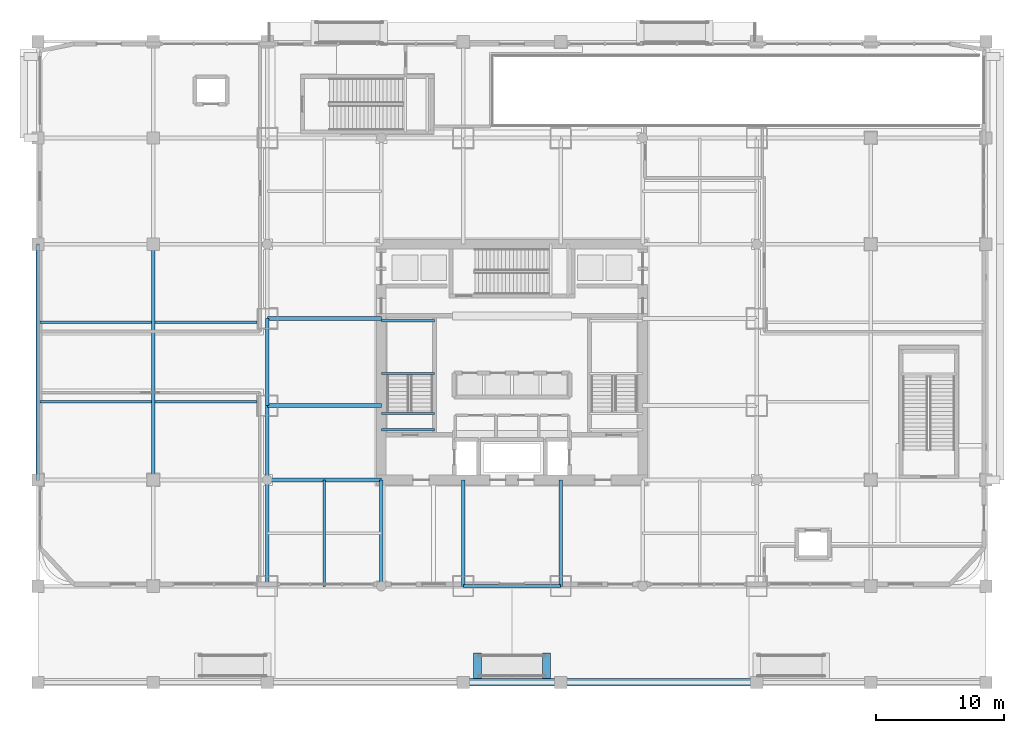
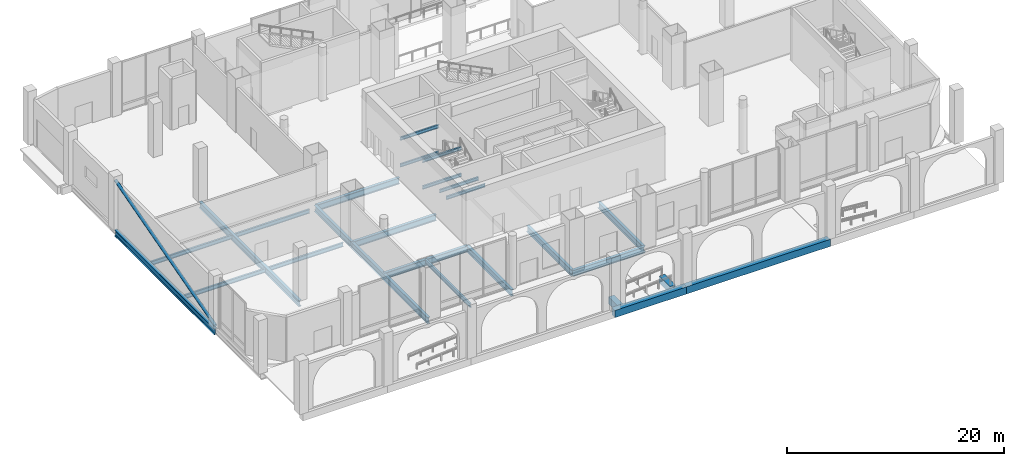
# One storey, part 4 of 32: 26 beams, 1 member.
"""IFC4 building model written with IfcOpenShell, lengths in metres."""

from ifc_helpers import new_model, si_unit, direction, frame, origin, origin_2d, place, context, subcontext, project, spatial, rectangle, hollow_circle, i_section, extrude, material, material_profile, profile_set, type_object, element, save


model = new_model("IFC4")

# Units and contexts
model_context = context("Model", 3, precision=1e-05, world=origin(), true_north=direction((0.0, 1.0)))
body_context = subcontext(model_context, "Body", "Model", "MODEL_VIEW")
ifc_project = project(units=[si_unit("LENGTHUNIT", "METRE"), si_unit("AREAUNIT", "SQUARE_METRE"), si_unit("VOLUMEUNIT", "CUBIC_METRE"), si_unit("PLANEANGLEUNIT", "RADIAN"), si_unit("MASSUNIT", "GRAM", prefix="KILO")], contexts=[model_context])

# Site, building, storey
site_placement = place(None, origin())
site = spatial("IfcSite", under=ifc_project, at=site_placement, CompositionType="ELEMENT")
building_placement = place(site_placement, origin())
building = spatial("IfcBuilding", under=site, at=building_placement, Name="Punatoya Terracotta Tower", CompositionType="ELEMENT")
storey_placement = place(building_placement, origin())
storey = spatial("IfcBuildingStorey", under=building, at=storey_placement, Name="L00", CompositionType="ELEMENT", Elevation=0.0)

# Beams
ifc_material_1 = material(Name="Steel S355", Category="steel")
ifc_material_profile_1 = material_profile(ifc_material_1, i_section(OverallWidth=0.300048828125, OverallDepth=0.699951171875, WebThickness=0.01708984375, FlangeThickness=0.031982421875, FilletRadius=0.01806640625, at=origin_2d()))
ifc_profile_set_1 = profile_set([ifc_material_profile_1], Name="Steel S355")
beam_type_1 = type_object("IfcBeamType", Name="BM-PRI-700", PredefinedType="BEAM", material=ifc_profile_set_1)
beam_1_placement = place(storey_placement, frame((-3.800048828125, -17.5, -0.6298828125), z_axis=(1.0, 0.0, 0.0), x_axis=(0.0, 1.0, 0.0)))
element("IfcBeam", 1, at=beam_1_placement, inside=storey, type_object=beam_type_1, Name="BM-L00-RG-S2", PredefinedType="BEAM", context=body_context, shape_type="SweptSolid", body=[
    extrude(i_section(OverallWidth=0.300048828125, OverallDepth=0.699951171875, WebThickness=0.01708984375, FlangeThickness=0.031982421875, FilletRadius=0.01806640625, at=origin_2d()), origin(), (0.0, 0.0, 1.0), 7.60009765625),
])
beam_2_placement = place(storey_placement, frame((-19.10009765625, -17.5, -0.6298828125), z_axis=(0.0, 1.0, 0.0), x_axis=(-1.0, 0.0, 0.0)))
element("IfcBeam", 2, at=beam_2_placement, inside=storey, type_object=beam_type_1, Name="BM-L00-RG-W1", PredefinedType="BEAM", context=body_context, shape_type="SweptSolid", body=[
    extrude(i_section(OverallWidth=0.300048828125, OverallDepth=0.699951171875, WebThickness=0.01708984375, FlangeThickness=0.031982421875, FilletRadius=0.01806640625, at=origin_2d()), origin(), (0.0, 0.0, 1.0), 14.10009765625),
])
beam_3_placement = place(storey_placement, frame((-19.10009765625, -3.39990234375, -0.6298828125), z_axis=(0.0, 1.0, 0.0), x_axis=(-1.0, 0.0, 0.0)))
element("IfcBeam", 3, at=beam_3_placement, inside=storey, type_object=beam_type_1, Name="BM-L00-RG-W2", PredefinedType="BEAM", context=body_context, shape_type="SweptSolid", body=[
    extrude(i_section(OverallWidth=0.300048828125, OverallDepth=0.699951171875, WebThickness=0.01708984375, FlangeThickness=0.031982421875, FilletRadius=0.01806640625, at=origin_2d()), origin(), (0.0, 0.0, 1.0), 6.7998046875),
])
for number, where, z_axis, x_axis, name in (
    (4, (-19.10009765625, -9.199951171875, -0.6298828125), (1.0, 0.0, 0.0), (0.0, 1.0, 0.0), "BM-L00-PR-WS"),
    (5, (-19.10009765625, -3.39990234375, -0.6298828125), (1.0, 0.0, 0.0), (0.0, 1.0, 0.0), "BM-L00-PR-WD"),
    (6, (-19.10009765625, 3.39990234375, -0.6298828125), (1.0, 0.0, 0.0), (0.0, 1.0, 0.0), "BM-L00-PR-WE"),
):
    element("IfcBeam", number, at=place(storey_placement, frame(where, z_axis=z_axis, x_axis=x_axis)), inside=storey, type_object=beam_type_1, Name=name, PredefinedType="BEAM", context=body_context, shape_type="SweptSolid", body=[
        extrude(i_section(OverallWidth=0.300048828125, OverallDepth=0.699951171875, WebThickness=0.01708984375, FlangeThickness=0.031982421875, FilletRadius=0.01806640625, at=origin_2d()), origin(), (0.0, 0.0, 1.0), 8.900146484375),
    ])
for number, where, z_axis, x_axis, name in (
    (7, (-10.199951171875, -17.5, -0.6298828125), (0.0, 1.0, 0.0), (-1.0, 0.0, 0.0), "BM-L00-PR-S1"),
    (8, (-3.800048828125, -17.5, -0.6298828125), (0.0, 1.0, 0.0), (-1.0, 0.0, 0.0), "BM-L00-PR-S2"),
    (9, (3.800048828125, -17.5, -0.6298828125), (0.0, 1.0, 0.0), (-1.0, 0.0, 0.0), "BM-L00-PR-S3"),
):
    element("IfcBeam", number, at=place(storey_placement, frame(where, z_axis=z_axis, x_axis=x_axis)), inside=storey, type_object=beam_type_1, Name=name, PredefinedType="BEAM", context=body_context, shape_type="SweptSolid", body=[
        extrude(i_section(OverallWidth=0.300048828125, OverallDepth=0.699951171875, WebThickness=0.01708984375, FlangeThickness=0.031982421875, FilletRadius=0.01806640625, at=origin_2d()), origin(), (0.0, 0.0, 1.0), 8.300048828125),
    ])
for number, where, z_axis, x_axis, name in (
    (10, (-37.0, -9.199951171875, -0.6298828125), (0.0, 1.0, 0.0), (-1.0, 0.0, 0.0), "BM-L00-X37W--9"),
    (11, (-28.0, -9.199951171875, -0.6298828125), (0.0, 1.0, 0.0), (-1.0, 0.0, 0.0), "BM-L00-X28W--9"),
):
    element("IfcBeam", number, at=place(storey_placement, frame(where, z_axis=z_axis, x_axis=x_axis)), inside=storey, type_object=beam_type_1, Name=name, PredefinedType="BEAM", context=body_context, shape_type="SweptSolid", body=[
        extrude(i_section(OverallWidth=0.300048828125, OverallDepth=0.699951171875, WebThickness=0.01708984375, FlangeThickness=0.031982421875, FilletRadius=0.01806640625, at=origin_2d()), origin(), (0.0, 0.0, 1.0), 18.39990234375),
    ])
ifc_material_2 = material(Name="Concrete C45/55", Category="concrete")
ifc_material_profile_2 = material_profile(ifc_material_2, rectangle(XDim=0.60009765625, YDim=0.800048828125, at=origin_2d()))
ifc_profile_set_2 = profile_set([ifc_material_profile_2], Name="Concrete C45/55")
beam_type_2 = type_object("IfcBeamType", Name="BM-RC-GRD", PredefinedType="BEAM", material=ifc_profile_set_2)
beam_4_placement = place(storey_placement, frame((-3.800048828125, -25.0, -0.550048828125), z_axis=(1.0, 0.0, 0.0), x_axis=(0.0, 1.0, 0.0)))
element("IfcBeam", 12, at=beam_4_placement, inside=storey, type_object=beam_type_2, Name="GB-PROM-4", PredefinedType="BEAM", context=body_context, shape_type="SweptSolid", body=[
    extrude(rectangle(XDim=0.60009765625, YDim=0.800048828125, at=origin_2d()), origin(), (0.0, 0.0, 1.0), 7.60009765625),
])
beam_5_placement = place(storey_placement, frame((3.800048828125, -25.0, -0.550048828125), z_axis=(1.0, 0.0, 0.0), x_axis=(0.0, 1.0, 0.0)))
element("IfcBeam", 13, at=beam_5_placement, inside=storey, type_object=beam_type_2, Name="GB-PROM-5", PredefinedType="BEAM", context=body_context, shape_type="SweptSolid", body=[
    extrude(rectangle(XDim=0.60009765625, YDim=0.800048828125, at=origin_2d()), origin(), (0.0, 0.0, 1.0), 15.300048828125),
])
for number, where, z_axis, x_axis, name in (
    (14, (-2.699951171875, -24.699951171875, -0.85009765625), (0.0, 1.0, 0.0), (-1.0, 0.0, 0.0), "GB-PR5-LO"),
    (15, (2.699951171875, -24.699951171875, -0.39990234375), (0.0, 1.0, 0.0), (-1.0, 0.0, 0.0), "GB-PR5-HI"),
):
    element("IfcBeam", number, at=place(storey_placement, frame(where, z_axis=z_axis, x_axis=x_axis)), inside=storey, type_object=beam_type_2, Name=name, PredefinedType="BEAM", context=body_context, shape_type="SweptSolid", body=[
        extrude(rectangle(XDim=0.60009765625, YDim=0.800048828125, at=origin_2d()), origin(), (0.0, 0.0, 1.0), 2.0),
    ])
ifc_material_profile_3 = material_profile(ifc_material_1, i_section(OverallWidth=0.169921875, OverallDepth=0.360107421875, WebThickness=0.008056640625, FlangeThickness=0.0126953125, FilletRadius=0.01806640625, at=origin_2d()))
ifc_profile_set_3 = profile_set([ifc_material_profile_3], Name="Steel S355")
beam_type_3 = type_object("IfcBeamType", Name="BM-SEC-360", PredefinedType="JOIST", material=ifc_profile_set_3)
for number, where, z_axis, x_axis, name in (
    (16, (-10.199951171875, -0.8798828125, 1.1201171875), (1.0, 0.0, 0.0), (0.0, 1.0, 0.0), "BM-L00-ST-1-LD1A"),
    (17, (-10.199951171875, 3.22998046875, 1.1201171875), (1.0, 0.0, 0.0), (0.0, 1.0, 0.0), "BM-L00-ST-1-LD1B"),
    (18, (-10.199951171875, -5.280029296875, 2.6201171875), (1.0, 0.0, 0.0), (0.0, 1.0, 0.0), "BM-L00-ST-1-LD2A"),
    (19, (-10.199951171875, -4.02001953125, 2.6201171875), (1.0, 0.0, 0.0), (0.0, 1.0, 0.0), "BM-L00-ST-1-LD2B"),
    (20, (-10.199951171875, -0.8798828125, 4.1201171875), (1.0, 0.0, 0.0), (0.0, 1.0, 0.0), "BM-L00-ST-1-LD3A"),
    (21, (-10.199951171875, 3.22998046875, 4.1201171875), (1.0, 0.0, 0.0), (0.0, 1.0, 0.0), "BM-L00-ST-1-LD3B"),
):
    element("IfcBeam", number, at=place(storey_placement, frame(where, z_axis=z_axis, x_axis=x_axis)), inside=storey, type_object=beam_type_3, Name=name, PredefinedType="JOIST", context=body_context, shape_type="SweptSolid", body=[
        extrude(i_section(OverallWidth=0.169921875, OverallDepth=0.360107421875, WebThickness=0.008056640625, FlangeThickness=0.0126953125, FilletRadius=0.01806640625, at=origin_2d()), origin(), (0.0, 0.0, 1.0), 4.14990234375),
    ])
ifc_material_profile_4 = material_profile(ifc_material_1, i_section(OverallWidth=0.18994140625, OverallDepth=0.449951171875, WebThickness=0.009521484375, FlangeThickness=0.0146484375, FilletRadius=0.01806640625, at=origin_2d()))
ifc_profile_set_4 = profile_set([ifc_material_profile_4], Name="Steel S355")
beam_type_4 = type_object("IfcBeamType", Name="BM-SEC-450", PredefinedType="JOIST", material=ifc_profile_set_4)
beam_6_placement = place(storey_placement, frame((-14.64990234375, -17.5, -0.5048828125), z_axis=(0.0, 1.0, 0.0), x_axis=(-1.0, 0.0, 0.0)))
element("IfcBeam", 22, at=beam_6_placement, inside=storey, type_object=beam_type_4, Name="BM-L00-SJW-1", PredefinedType="JOIST", context=body_context, shape_type="SweptSolid", body=[
    extrude(i_section(OverallWidth=0.18994140625, OverallDepth=0.449951171875, WebThickness=0.009521484375, FlangeThickness=0.0146484375, FilletRadius=0.01806640625, at=origin_2d()), origin(), (0.0, 0.0, 1.0), 8.300048828125),
])
beam_7_placement = place(storey_placement, frame((-36.85009765625, -3.10009765625, -0.5048828125), z_axis=(1.0, 0.0, 0.0), x_axis=(0.0, 1.0, 0.0)))
element("IfcBeam", 23, at=beam_7_placement, inside=storey, type_object=beam_type_4, Name="BM-L00-WNGJ-W1--31", PredefinedType="JOIST", context=body_context, shape_type="SweptSolid", body=[
    extrude(i_section(OverallWidth=0.18994140625, OverallDepth=0.449951171875, WebThickness=0.009521484375, FlangeThickness=0.0146484375, FilletRadius=0.01806640625, at=origin_2d()), origin(), (0.0, 0.0, 1.0), 8.7001953125),
])
beam_8_placement = place(storey_placement, frame((-27.85009765625, -3.10009765625, -0.5048828125), z_axis=(1.0, 0.0, 0.0), x_axis=(0.0, 1.0, 0.0)))
element("IfcBeam", 24, at=beam_8_placement, inside=storey, type_object=beam_type_4, Name="BM-L00-WNGJ-W2--31", PredefinedType="JOIST", context=body_context, shape_type="SweptSolid", body=[
    extrude(i_section(OverallWidth=0.18994140625, OverallDepth=0.449951171875, WebThickness=0.009521484375, FlangeThickness=0.0146484375, FilletRadius=0.01806640625, at=origin_2d()), origin(), (0.0, 0.0, 1.0), 7.9501953125),
])
beam_9_placement = place(storey_placement, frame((-36.85009765625, 3.10009765625, -0.5048828125), z_axis=(1.0, 0.0, 0.0), x_axis=(0.0, 1.0, 0.0)))
element("IfcBeam", 25, at=beam_9_placement, inside=storey, type_object=beam_type_4, Name="BM-L00-WNGJ-W1-31", PredefinedType="JOIST", context=body_context, shape_type="SweptSolid", body=[
    extrude(i_section(OverallWidth=0.18994140625, OverallDepth=0.449951171875, WebThickness=0.009521484375, FlangeThickness=0.0146484375, FilletRadius=0.01806640625, at=origin_2d()), origin(), (0.0, 0.0, 1.0), 8.7001953125),
])
beam_10_placement = place(storey_placement, frame((-27.85009765625, 3.10009765625, -0.5048828125), z_axis=(1.0, 0.0, 0.0), x_axis=(0.0, 1.0, 0.0)))
element("IfcBeam", 26, at=beam_10_placement, inside=storey, type_object=beam_type_4, Name="BM-L00-WNGJ-W2-31", PredefinedType="JOIST", context=body_context, shape_type="SweptSolid", body=[
    extrude(i_section(OverallWidth=0.18994140625, OverallDepth=0.449951171875, WebThickness=0.009521484375, FlangeThickness=0.0146484375, FilletRadius=0.01806640625, at=origin_2d()), origin(), (0.0, 0.0, 1.0), 7.9501953125),
])

# Member
ifc_material_profile_5 = material_profile(ifc_material_1, hollow_circle(Radius=0.162109375, WallThickness=0.01611328125, at=origin_2d()))
ifc_profile_set_5 = profile_set([ifc_material_profile_5], Name="Steel S355")
member_type = type_object("IfcMemberType", Name="MEM-POD-CHS", PredefinedType="BRACE", material=ifc_profile_set_5)
member_placement = place(storey_placement, frame((-37.0, -9.199951171875, 0.02001953125), z_axis=(0.0, 0.962583293048, 0.270985984776), x_axis=(-1.0, 0.0, 0.0)))
element("IfcMember", 27, at=member_placement, inside=storey, type_object=member_type, Name="L00 Podium Lateral Brace PBR-1", PredefinedType="BRACE", context=body_context, shape_type="SweptSolid", body=[
    extrude(hollow_circle(Radius=0.162109375, WallThickness=0.01611328125, at=origin_2d()), origin(), (0.0, 0.0, 1.0), 19.115234375),
])

save(model, "model.ifc")
